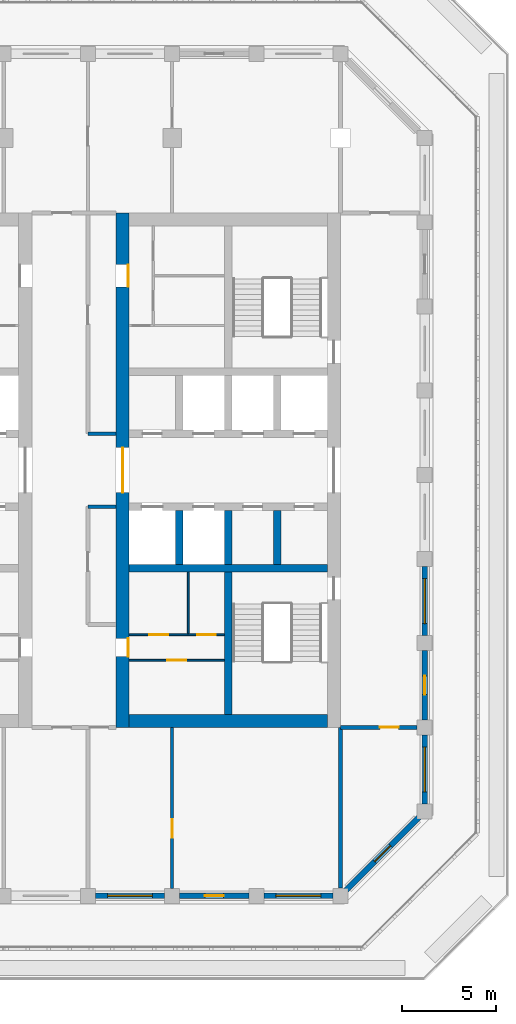
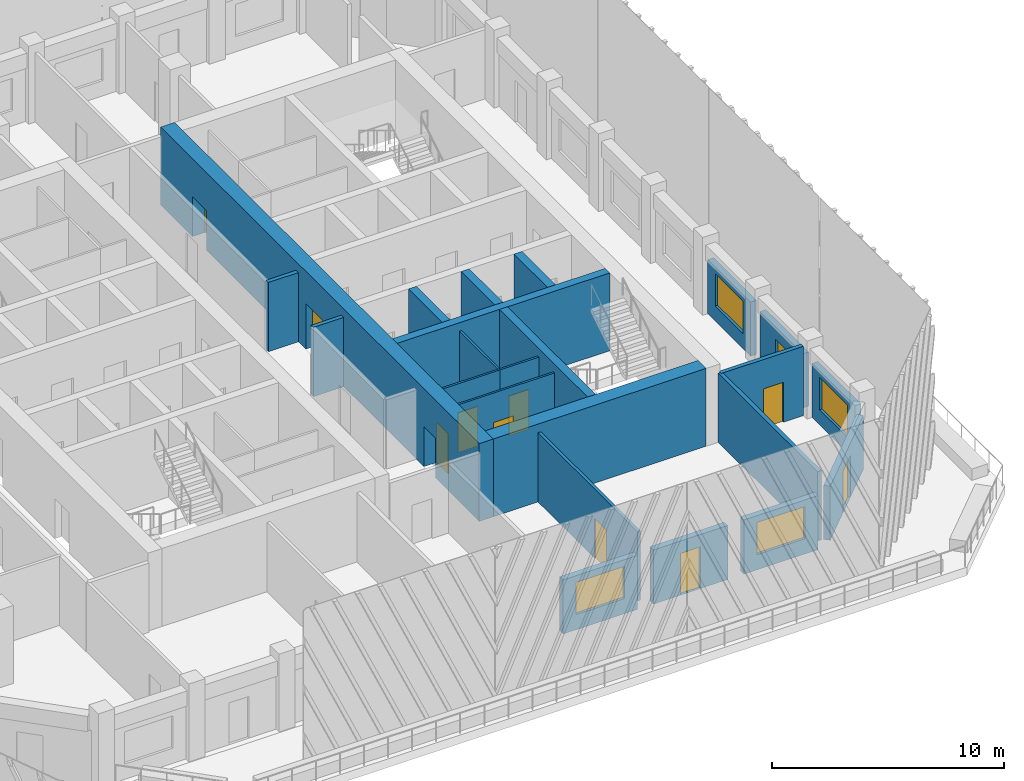
# One storey, part 4 of 14: 23 walls, 11 doors, 4 windows, 15 openings.
"""IFC4 building model written with IfcOpenShell, lengths in metres."""

import ifcopenshell
import ifcopenshell.guid

model = None  # the IFC model being written
_history = None  # IfcOwnerHistory: only IFC2X3 demands one
_inside = {}  # id of a spatial element -> (the spatial element, [elements in it])
_under = {}  # id of a project, library or spatial element -> (it, [spatial elements below it])
_declared = {}  # id of a project -> (the project, [libraries it declares])
_typed = {}  # id of a type object -> (the type object, [elements of that type])
_made_of = {}  # id of a material, layer set ... -> (it, [elements and type objects made of it])


def new_model(schema):
    """Start an empty IFC model of exactly this schema.

    Asked for "IFC4X3", IfcOpenShell would pick the latest addendum, in which some entities
    have other attributes; the version numbers below select the first issue.
    IFC2X3 requires an IfcOwnerHistory on every rooted entity: one is made here for all.
    """
    global model, _history
    if schema == "IFC4X3":
        model = ifcopenshell.file(schema_version=(4, 3, 0, 0))
    else:
        model = ifcopenshell.file(schema=schema)
    _inside.clear()
    _under.clear()
    _declared.clear()
    _typed.clear()
    _made_of.clear()
    _history = None
    if model.schema == "IFC2X3":
        org = make("IfcOrganization", Name="unknown")
        user = make(
            "IfcPersonAndOrganization",
            ThePerson=make("IfcPerson", FamilyName="unknown"),
            TheOrganization=org,
        )
        app = make(
            "IfcApplication",
            ApplicationDeveloper=org,
            Version="unknown",
            ApplicationFullName="unknown",
            ApplicationIdentifier="unknown",
        )
        _history = make(
            "IfcOwnerHistory",
            OwningUser=user,
            OwningApplication=app,
            ChangeAction="ADDED",
            CreationDate=0,
        )
    return model


def make(cls, **values):
    """One entity of the class cls with the attributes given. An attribute that is None is left unset."""
    return model.create_entity(
        cls, **{name: value for name, value in values.items() if value is not None}
    )


def rooted(cls, **values):
    """An entity with a GlobalId (a new one), such as an element, a storey or a relation."""
    return make(cls, GlobalId=ifcopenshell.guid.new(), OwnerHistory=_history, **values)


def si_unit(unit_type, name, prefix=None):
    """IfcSIUnit, for example si_unit("LENGTHUNIT", "METRE", prefix="MILLI")."""
    return make("IfcSIUnit", UnitType=unit_type, Prefix=prefix, Name=name)


def assignment(units):
    """IfcUnitAssignment: the units of a project."""
    return None if units is None else make("IfcUnitAssignment", Units=units)


def point(xyz):
    """IfcCartesianPoint."""
    return None if xyz is None else make("IfcCartesianPoint", Coordinates=xyz)


def direction(xyz):
    """IfcDirection."""
    return None if xyz is None else make("IfcDirection", DirectionRatios=xyz)


def frame(location, z_axis=None, x_axis=None):
    """IfcAxis2Placement3D, a coordinate frame: its origin and axes. An axis left out is left unset."""
    return make(
        "IfcAxis2Placement3D",
        Location=point(location),
        Axis=direction(z_axis),
        RefDirection=direction(x_axis),
    )


def frame_2d(location, x_axis=None):
    """IfcAxis2Placement2D, a coordinate frame in the plane: its origin and x axis."""
    return make(
        "IfcAxis2Placement2D", Location=point(location), RefDirection=direction(x_axis)
    )


def origin():
    """The frame at (0, 0, 0) with its axes left unset."""
    return frame((0.0, 0.0, 0.0))


def place(relative_to, where):
    """IfcLocalPlacement: puts the frame where relative to a parent placement (None: the world)."""
    return make(
        "IfcLocalPlacement", PlacementRelTo=relative_to, RelativePlacement=where
    )


def context(
    kind, dimensions, precision=None, world=None, true_north=None, identifier=None
):
    """IfcGeometricRepresentationContext, for example the 3D "Model" context."""
    return make(
        "IfcGeometricRepresentationContext",
        ContextIdentifier=identifier,
        ContextType=kind,
        CoordinateSpaceDimension=dimensions,
        Precision=precision,
        WorldCoordinateSystem=world,
        TrueNorth=true_north,
    )


def subcontext(parent, identifier, kind, view, scale=None):
    """IfcGeometricRepresentationSubContext, for example "Body" below "Model"."""
    return make(
        "IfcGeometricRepresentationSubContext",
        ContextIdentifier=identifier,
        ContextType=kind,
        ParentContext=parent,
        TargetScale=scale,
        TargetView=view,
    )


def project(units=None, contexts=None):
    """IfcProject with its units and contexts."""
    return rooted(
        "IfcProject",
        Name="project",
        RepresentationContexts=contexts,
        UnitsInContext=assignment(units),
    )


def spatial(cls, under=None, at=None, **own):
    """A site, building, storey or space (cls), placed at a placement, below another one or the project."""
    s = rooted(cls, ObjectPlacement=at, **own)
    if under is not None:
        _under.setdefault(under.id(), (under, []))[1].append(s)
    return s


def profile(cls, at=None, kind="AREA", **sizes):
    """A parametric profile (cls). Its sizes go by their IFC names, for example OverallWidth=200.0."""
    return make(cls, ProfileType=kind, Position=at, **sizes)


def rectangle(**sizes):
    """IfcRectangleProfileDef."""
    return profile("IfcRectangleProfileDef", **sizes)


def extrude(swept, where, along, depth):
    """IfcExtrudedAreaSolid: the profile swept, set in the frame where, extruded along a direction by depth."""
    return make(
        "IfcExtrudedAreaSolid",
        SweptArea=swept,
        Position=where,
        ExtrudedDirection=direction(along),
        Depth=depth,
    )


def shape(context_of_items, identifier, shape_type, items):
    """IfcShapeRepresentation: the items that make up one representation, for example the "Body"."""
    return make(
        "IfcShapeRepresentation",
        ContextOfItems=context_of_items,
        RepresentationIdentifier=identifier,
        RepresentationType=shape_type,
        Items=items,
    )


def material(Name=None, Category=None):
    """IfcMaterial."""
    return make("IfcMaterial", Name=Name, Category=Category)


def layer(
    of_material, thickness, ventilated=None, Name=None, Category=None, Priority=None
):
    """IfcMaterialLayer: one layer of a wall or slab, of a material (None: an air gap)."""
    return make(
        "IfcMaterialLayer",
        Material=of_material,
        LayerThickness=thickness,
        IsVentilated=ventilated,
        Name=Name,
        Category=Category,
        Priority=Priority,
    )


def layer_set(layers, Name=None):
    """IfcMaterialLayerSet."""
    return make("IfcMaterialLayerSet", MaterialLayers=layers, LayerSetName=Name)


def made_of(thing, what):
    """Note that an element or type object is made of a material, layer set ...; save() writes the relation."""
    if what is not None:
        _made_of.setdefault(what.id(), (what, []))[1].append(thing)
    return thing


def type_object(cls, material=None, **own):
    """A type object (cls), such as IfcWallType, which elements share."""
    return made_of(rooted(cls, **own), material)


def element(
    cls,
    number,
    at=None,
    inside=None,
    cuts=None,
    type_object=None,
    material=None,
    context=None,
    identifier="Body",
    shape_type=None,
    held_by="IfcProductDefinitionShape",
    body=None,
    shapes=None,
    **own,
):
    """One element of the class cls, such as IfcWall. Its Tag is "e" and its number.

    at: its placement. inside: the storey or other place that contains it. cuts: it is an
    opening in that element (IfcRelVoidsElement). A single representation is given by context,
    identifier, shape_type and body (its items); several are given by shapes. held_by: the class
    of the entity that holds the representations. save() writes the other relations.
    """
    e = rooted(cls, Tag="e%d" % number, ObjectPlacement=at, **own)
    if body is not None:
        shapes = [shape(context, identifier, shape_type, body)]
    if shapes is not None:
        e.Representation = make(held_by, Representations=shapes)
    if inside is not None:
        _inside.setdefault(inside.id(), (inside, []))[1].append(e)
    if cuts is not None:
        rooted(
            "IfcRelVoidsElement", RelatingBuildingElement=cuts, RelatedOpeningElement=e
        )
    if type_object is not None:
        _typed.setdefault(type_object.id(), (type_object, []))[1].append(e)
    return made_of(e, material)


def fill(opening, filler):
    """IfcRelFillsElement: the door or window that sits in an opening."""
    return rooted(
        "IfcRelFillsElement",
        RelatingOpeningElement=opening,
        RelatedBuildingElement=filler,
    )


def aggregate(whole, parts):
    """IfcRelAggregates: a whole, such as a stair, and the parts it consists of."""
    return rooted("IfcRelAggregates", RelatingObject=whole, RelatedObjects=parts)


def save(model, path):
    """Write the relations noted so far, then the file.

    IfcRelAggregates (storeys below a building ...), IfcRelContainedInSpatialStructure (elements
    in a storey), IfcRelDefinesByType, IfcRelAssociatesMaterial and IfcRelDeclares: one each for
    every whole, place, type object, material and project.
    """
    for whole, parts in _under.values():
        aggregate(whole, parts)
    for where, things in _inside.values():
        rooted(
            "IfcRelContainedInSpatialStructure",
            RelatedElements=things,
            RelatingStructure=where,
        )
    for kind, things in _typed.values():
        rooted("IfcRelDefinesByType", RelatedObjects=things, RelatingType=kind)
    for what, things in _made_of.values():
        rooted("IfcRelAssociatesMaterial", RelatedObjects=things, RelatingMaterial=what)
    for by, libraries in _declared.values():
        rooted("IfcRelDeclares", RelatingContext=by, RelatedDefinitions=libraries)
    model.write(path)


model = new_model("IFC4")

# Units and contexts
model_context = context("Model", 3, precision=1e-05, world=origin(), true_north=direction((0.0, 1.0)))
body_context = subcontext(model_context, "Body", "Model", "MODEL_VIEW")
ifc_project = project(units=[si_unit("LENGTHUNIT", "METRE"), si_unit("AREAUNIT", "SQUARE_METRE"), si_unit("VOLUMEUNIT", "CUBIC_METRE"), si_unit("PLANEANGLEUNIT", "RADIAN"), si_unit("MASSUNIT", "GRAM", prefix="KILO")], contexts=[model_context])

# Site, building, storey
site_placement = place(None, origin())
site = spatial("IfcSite", under=ifc_project, at=site_placement, CompositionType="ELEMENT")
building_placement = place(site_placement, origin())
building = spatial("IfcBuilding", under=site, at=building_placement, Name="Corbel Stack Research Tower", CompositionType="ELEMENT")
storey_placement = place(building_placement, frame((0.0, 0.0, 266.300048828125)))
storey = spatial("IfcBuildingStorey", under=building, at=storey_placement, Name="L60", CompositionType="ELEMENT", Elevation=266.300048828125)

# Walls
ifc_material_1 = material(Name="Concrete C60/75", Category="concrete")
ifc_layer_1 = layer(ifc_material_1, 0.39990234375)
ifc_layer_set_1 = layer_set([ifc_layer_1], Name="Concrete C60/75")
wall_type_1 = type_object("IfcWallType", Name="CW-400-60", PredefinedType="SHEAR", material=ifc_layer_set_1)
wall_1_placement = place(storey_placement, frame((6.699951171875, -0.5, 0.0), z_axis=(0.0, 0.0, 1.0), x_axis=(1.0, 0.0, 0.0)))
element("IfcWall", 1, at=wall_1_placement, inside=storey, type_object=wall_type_1, Name="East core wall, south row back L60", PredefinedType="SHEAR", context=body_context, shape_type="SweptSolid", body=[
    extrude(rectangle(XDim=10.60009765625, YDim=0.39990234375, at=frame_2d((5.300048828125, 0.0))), origin(), (0.0, 0.0, 1.0), 4.099853515625),
])
for number, where, z_axis, x_axis, name in (
    (2, (9.375, -0.300048828125, 0.0), (0.0, 0.0, 1.0), (0.0, 1.0, 0.0), "East core wall, south shaft 1 L60"),
    (3, (12.0, -0.300048828125, 0.0), (0.0, 0.0, 1.0), (0.0, 1.0, 0.0), "East core wall, south shaft 2 L60"),
    (4, (14.625, -0.300048828125, 0.0), (0.0, 0.0, 1.0), (0.0, 1.0, 0.0), "East core wall, south shaft 3 L60"),
):
    element("IfcWall", number, at=place(storey_placement, frame(where, z_axis=z_axis, x_axis=x_axis)), inside=storey, type_object=wall_type_1, Name=name, PredefinedType="SHEAR", context=body_context, shape_type="SweptSolid", body=[
        extrude(rectangle(XDim=2.900146484375, YDim=0.39990234375, at=frame_2d((1.4501953125, 0.0))), origin(), (0.0, 0.0, 1.0), 4.099853515625),
    ])
wall_2_placement = place(storey_placement, frame((12.0, -8.300048828125, 0.0), z_axis=(0.0, 0.0, 1.0), x_axis=(0.0, 1.0, 0.0)))
element("IfcWall", 5, at=wall_2_placement, inside=storey, type_object=wall_type_1, Name="East core wall, south stair and WC L60", PredefinedType="SHEAR", context=body_context, shape_type="SweptSolid", body=[
    extrude(rectangle(XDim=7.60009765625, YDim=0.39990234375, at=frame_2d((3.800048828125, 0.0))), origin(), (0.0, 0.0, 1.0), 4.099853515625),
])

# Wall, openings, doors
ifc_material_2 = material(Name="Concrete C60/75", Category="concrete")
ifc_layer_2 = layer(ifc_material_2, 0.699951171875)
ifc_layer_set_2 = layer_set([ifc_layer_2], Name="Concrete C60/75")
wall_type_2 = type_object("IfcWallType", Name="CW-700-60", PredefinedType="SHEAR", material=ifc_layer_set_2)
wall_3_placement = place(storey_placement, frame((6.35009765625, -9.0, 0.0), z_axis=(0.0, 0.0, 1.0), x_axis=(0.0, 1.0, 0.0)))
wall_3 = element("IfcWall", 6, at=wall_3_placement, inside=storey, type_object=wall_type_2, Name="East core wall, west face L60", PredefinedType="SHEAR", context=body_context, shape_type="SweptSolid", body=[
    extrude(rectangle(XDim=27.5, YDim=0.699951171875, at=frame_2d((13.75, 0.0))), origin(), (0.0, 0.0, 1.0), 4.099853515625),
])
opening_1_placement = place(wall_3_placement, frame((12.550048828125, 0.0, 0.0)))
opening_1 = element("IfcOpeningElement", 7, at=opening_1_placement, cuts=wall_3, Name="Opening CD-E-W", PredefinedType="OPENING", context=body_context, shape_type="SweptSolid", body=[
    extrude(rectangle(XDim=2.39990234375, YDim=2.39990234375, at=frame_2d((1.199951171875, 1.199951171875))), frame((0.0, 0.35986328125, 0.0), z_axis=(0.0, -1.0, 0.0), x_axis=(1.0, 0.0, 0.0)), (0.0, 0.0, 1.0), 0.719970703125),
])
opening_2_placement = place(wall_3_placement, frame((3.7880859375, 0.0, 0.0)))
opening_2 = element("IfcOpeningElement", 8, at=opening_2_placement, cuts=wall_3, Name="Opening CR-E24-W1-968", PredefinedType="OPENING", context=body_context, shape_type="SweptSolid", body=[
    extrude(rectangle(XDim=0.968017578125, YDim=2.10009765625, at=frame_2d((0.48388671875, 1.050048828125))), frame((0.0, 0.35986328125, 0.0), z_axis=(0.0, -1.0, 0.0), x_axis=(1.0, 0.0, 0.0)), (0.0, 0.0, 1.0), 0.719970703125),
])
opening_3_placement = place(wall_3_placement, frame((23.5400390625, 0.0, 0.0)))
opening_3 = element("IfcOpeningElement", 9, at=opening_3_placement, cuts=wall_3, Name="Opening CR-E24-R2-1200", PredefinedType="OPENING", context=body_context, shape_type="SweptSolid", body=[
    extrude(rectangle(XDim=1.199951171875, YDim=2.10009765625, at=frame_2d((0.60009765625, 1.050048828125))), frame((0.0, 0.35986328125, 0.0), z_axis=(0.0, -1.0, 0.0), x_axis=(1.0, 0.0, 0.0)), (0.0, 0.0, 1.0), 0.719970703125),
])
ifc_material_3 = material(Name="Painted steel fire door", Category="steel")
door_type_1 = type_object("IfcDoorType", Name="Lobby door pair 2400 x 2400 FD30S", OperationType="DOUBLE_DOOR_DOUBLE_SWING", PredefinedType="DOOR", material=ifc_material_3)
door_1_placement = place(opening_1_placement, origin())
door_1 = element("IfcDoor", 10, at=door_1_placement, inside=storey, type_object=door_type_1, Name="Lift lobby door E core W", OperationType="DOUBLE_DOOR_DOUBLE_SWING", OverallHeight=2.39990234375, OverallWidth=2.39990234375, PredefinedType="DOOR", context=body_context, shape_type="SweptSolid", body=[
    extrude(rectangle(XDim=2.39990234375, YDim=2.39990234375, at=frame_2d((1.199951171875, 1.199951171875))), frame((0.0, 0.02490234375, 0.0), z_axis=(0.0, -1.0, 0.0), x_axis=(1.0, 0.0, 0.0)), (0.0, 0.0, 1.0), 0.050048828125),
])
fill(opening_1, door_1)
ifc_material_4 = material(Name="Painted steel door", Category="steel")
door_type_2 = type_object("IfcDoorType", Name="Service door 1200 x 2100 FD30 left hand", OperationType="SINGLE_SWING_LEFT", PredefinedType="DOOR", material=ifc_material_4)
door_2_placement = place(opening_3_placement, origin())
door_2 = element("IfcDoor", 11, at=door_2_placement, inside=storey, type_object=door_type_2, Name="Service passage door E core", OperationType="SINGLE_SWING_LEFT", OverallHeight=2.10009765625, OverallWidth=1.199951171875, PredefinedType="DOOR", context=body_context, shape_type="SweptSolid", body=[
    extrude(rectangle(XDim=1.199951171875, YDim=2.10009765625, at=frame_2d((0.60009765625, 1.050048828125))), frame((0.0, -0.27490234375, 0.0), z_axis=(0.0, -1.0, 0.0), x_axis=(1.0, 0.0, 0.0)), (0.0, 0.0, 1.0), 0.050048828125),
])
fill(opening_3, door_2)
ifc_material_5 = material(Name="Painted timber door", Category="wood")
door_type_3 = type_object("IfcDoorType", Name="WC door 968 x 2100 right hand", OperationType="SINGLE_SWING_RIGHT", PredefinedType="DOOR", material=ifc_material_5)
door_3_placement = place(opening_2_placement, origin())
door_3 = element("IfcDoor", 12, at=door_3_placement, inside=storey, type_object=door_type_3, Name="WC lobby door E core", OperationType="SINGLE_SWING_RIGHT", OverallHeight=2.10009765625, OverallWidth=0.968017578125, PredefinedType="DOOR", context=body_context, shape_type="SweptSolid", body=[
    extrude(rectangle(XDim=0.968017578125, YDim=2.10009765625, at=frame_2d((0.48388671875, 1.050048828125))), frame((0.0, -0.27490234375, 0.0), z_axis=(0.0, -1.0, 0.0), x_axis=(1.0, 0.0, 0.0)), (0.0, 0.0, 1.0), 0.050048828125),
])
fill(opening_2, door_3)

# Wall
wall_4_placement = place(storey_placement, frame((6.699951171875, -8.64990234375, 0.0), z_axis=(0.0, 0.0, 1.0), x_axis=(1.0, 0.0, 0.0)))
element("IfcWall", 13, at=wall_4_placement, inside=storey, type_object=wall_type_2, Name="East core wall, south end L60", PredefinedType="SHEAR", context=body_context, shape_type="SweptSolid", body=[
    extrude(rectangle(XDim=10.60009765625, YDim=0.699951171875, at=frame_2d((5.300048828125, 0.0))), origin(), (0.0, 0.0, 1.0), 4.099853515625),
])

# Wall, opening, door
ifc_material_6 = material(Name="Gypsum board")
ifc_layer_3 = layer(ifc_material_6, 0.10009765625)
ifc_layer_set_3 = layer_set([ifc_layer_3], Name="Gypsum board")
wall_type_3 = type_object("IfcWallType", Name="Core partition 100", PredefinedType="PARTITIONING", material=ifc_layer_set_3)
wall_5_placement = place(storey_placement, frame((6.699951171875, -5.412109375, 0.0), z_axis=(0.0, 0.0, 1.0), x_axis=(1.0, 0.0, 0.0)))
wall_5 = element("IfcWall", 14, at=wall_5_placement, inside=storey, type_object=wall_type_3, Name="Core partition E", PredefinedType="PARTITIONING", context=body_context, shape_type="SweptSolid", body=[
    extrude(rectangle(XDim=5.10009765625, YDim=0.10009765625, at=frame_2d((2.550048828125, 0.0))), origin(), (0.0, 0.0, 1.0), 3.64990234375),
])
opening_4_placement = place(wall_5_placement, frame((2.050048828125, 0.0, 0.0)))
opening_4 = element("IfcOpeningElement", 15, at=opening_4_placement, cuts=wall_5, Name="Opening CR-E24-W2-1000", PredefinedType="OPENING", context=body_context, shape_type="SweptSolid", body=[
    extrude(rectangle(XDim=1.0, YDim=2.10009765625, at=frame_2d((0.5, 1.050048828125))), frame((0.0, 0.06005859375, 0.0), z_axis=(0.0, -1.0, 0.0), x_axis=(1.0, 0.0, 0.0)), (0.0, 0.0, 1.0), 0.1201171875),
])
ifc_material_7 = material(Name="Painted timber door", Category="wood")
door_type_4 = type_object("IfcDoorType", Name="WC door 1000 x 2100 left hand", OperationType="SINGLE_SWING_LEFT", PredefinedType="DOOR", material=ifc_material_7)
door_4_placement = place(opening_4_placement, origin())
door_4 = element("IfcDoor", 16, at=door_4_placement, inside=storey, type_object=door_type_4, Name="Men's WC door E core", OperationType="SINGLE_SWING_LEFT", OverallHeight=2.10009765625, OverallWidth=1.0, PredefinedType="DOOR", context=body_context, shape_type="SweptSolid", body=[
    extrude(rectangle(XDim=1.0, YDim=2.10009765625, at=frame_2d((0.5, 1.050048828125))), frame((0.0, 0.02490234375, 0.0), z_axis=(0.0, -1.0, 0.0), x_axis=(1.0, 0.0, 0.0)), (0.0, 0.0, 1.0), 0.050048828125),
])
fill(opening_4, door_4)

wall_6_placement = place(storey_placement, frame((6.699951171875, -4.0439453125, 0.0), z_axis=(0.0, 0.0, 1.0), x_axis=(1.0, 0.0, 0.0)))
wall_6 = element("IfcWall", 17, at=wall_6_placement, inside=storey, type_object=wall_type_3, Name="Core partition E", PredefinedType="PARTITIONING", context=body_context, shape_type="SweptSolid", body=[
    extrude(rectangle(XDim=3.162109375, YDim=0.10009765625, at=frame_2d((1.5810546875, 0.0))), origin(), (0.0, 0.0, 1.0), 3.64990234375),
])
opening_5_placement = place(wall_6_placement, frame((1.0810546875, 0.0, 0.0)))
opening_5 = element("IfcOpeningElement", 18, at=opening_5_placement, cuts=wall_6, Name="Opening CR-E24-W3-1000", PredefinedType="OPENING", context=body_context, shape_type="SweptSolid", body=[
    extrude(rectangle(XDim=1.0, YDim=2.10009765625, at=frame_2d((0.5, 1.050048828125))), frame((0.0, 0.06005859375, 0.0), z_axis=(0.0, -1.0, 0.0), x_axis=(1.0, 0.0, 0.0)), (0.0, 0.0, 1.0), 0.1201171875),
])
ifc_material_8 = material(Name="Painted timber door", Category="wood")
door_type_5 = type_object("IfcDoorType", Name="WC door 1000 x 2100 right hand", OperationType="SINGLE_SWING_RIGHT", PredefinedType="DOOR", material=ifc_material_8)
door_5_placement = place(opening_5_placement, origin())
door_5 = element("IfcDoor", 19, at=door_5_placement, inside=storey, type_object=door_type_5, Name="Women's WC door E core", OperationType="SINGLE_SWING_RIGHT", OverallHeight=2.10009765625, OverallWidth=1.0, PredefinedType="DOOR", context=body_context, shape_type="SweptSolid", body=[
    extrude(rectangle(XDim=1.0, YDim=2.10009765625, at=frame_2d((0.5, 1.050048828125))), frame((0.0, 0.02490234375, 0.0), z_axis=(0.0, -1.0, 0.0), x_axis=(1.0, 0.0, 0.0)), (0.0, 0.0, 1.0), 0.050048828125),
])
fill(opening_5, door_5)

wall_7_placement = place(storey_placement, frame((9.862060546875, -4.0439453125, 0.0), z_axis=(0.0, 0.0, 1.0), x_axis=(1.0, 0.0, 0.0)))
wall_7 = element("IfcWall", 20, at=wall_7_placement, inside=storey, type_object=wall_type_3, Name="Core partition E", PredefinedType="PARTITIONING", context=body_context, shape_type="SweptSolid", body=[
    extrude(rectangle(XDim=1.93798828125, YDim=0.10009765625, at=frame_2d((0.968994140625, 0.0))), origin(), (0.0, 0.0, 1.0), 3.64990234375),
])
opening_6_placement = place(wall_7_placement, frame((0.468994140625, 0.0, 0.0)))
opening_6 = element("IfcOpeningElement", 21, at=opening_6_placement, cuts=wall_7, Name="Opening CR-E24-W4-1000", PredefinedType="OPENING", context=body_context, shape_type="SweptSolid", body=[
    extrude(rectangle(XDim=1.0, YDim=2.10009765625, at=frame_2d((0.5, 1.050048828125))), frame((0.0, 0.06005859375, 0.0), z_axis=(0.0, -1.0, 0.0), x_axis=(1.0, 0.0, 0.0)), (0.0, 0.0, 1.0), 0.1201171875),
])
door_6_placement = place(opening_6_placement, origin())
door_6 = element("IfcDoor", 22, at=door_6_placement, inside=storey, type_object=door_type_4, Name="Accessible WC door E core", OperationType="SINGLE_SWING_LEFT", OverallHeight=2.10009765625, OverallWidth=1.0, PredefinedType="DOOR", context=body_context, shape_type="SweptSolid", body=[
    extrude(rectangle(XDim=1.0, YDim=2.10009765625, at=frame_2d((0.5, 1.050048828125))), frame((0.0, 0.02490234375, 0.0), z_axis=(0.0, -1.0, 0.0), x_axis=(1.0, 0.0, 0.0)), (0.0, 0.0, 1.0), 0.050048828125),
])
fill(opening_6, door_6)

# Wall
wall_8_placement = place(storey_placement, frame((9.862060546875, -4.0439453125, 0.0), z_axis=(0.0, 0.0, 1.0), x_axis=(0.0, 1.0, 0.0)))
element("IfcWall", 23, at=wall_8_placement, inside=storey, type_object=wall_type_3, Name="Core partition E", PredefinedType="PARTITIONING", context=body_context, shape_type="SweptSolid", body=[
    extrude(rectangle(XDim=3.343994140625, YDim=0.10009765625, at=frame_2d((1.671875, 0.0))), origin(), (0.0, 0.0, 1.0), 3.64990234375),
])

# Wall, opening, door
ifc_material_9 = material(Name="Fire-rated gypsum board partition on steel studs", Category="steel")
ifc_layer_4 = layer(ifc_material_9, 0.14990234375)
ifc_layer_set_4 = layer_set([ifc_layer_4], Name="Fire-rated gypsum board partition on steel studs")
wall_type_4 = type_object("IfcWallType", Name="Fire-rated partition 150 EI 60", PredefinedType="PARTITIONING", material=ifc_layer_set_4)
wall_9_placement = place(storey_placement, frame((9.0, -9.0, 0.0), z_axis=(0.0, 0.0, 1.0), x_axis=(0.0, -1.0, 0.0)))
wall_9 = element("IfcWall", 24, at=wall_9_placement, inside=storey, type_object=wall_type_4, Name="Partition L60-014", PredefinedType="PARTITIONING", context=body_context, shape_type="SweptSolid", body=[
    extrude(rectangle(XDim=8.60009765625, YDim=0.14990234375, at=frame_2d((4.300048828125, 0.0))), origin(), (0.0, 0.0, 1.0), 3.64990234375),
])
opening_7_placement = place(wall_9_placement, frame((4.89990234375, 0.0, 0.0)))
opening_7 = element("IfcOpeningElement", 25, at=opening_7_placement, cuts=wall_9, Name="Opening B8V0H-014", PredefinedType="OPENING", context=body_context, shape_type="SweptSolid", body=[
    extrude(rectangle(XDim=1.0, YDim=2.10009765625, at=frame_2d((0.5, 1.050048828125))), frame((0.0, 0.0849609375, 0.0), z_axis=(0.0, -1.0, 0.0), x_axis=(1.0, 0.0, 0.0)), (0.0, 0.0, 1.0), 0.169921875),
])
ifc_material_10 = material(Name="Painted steel fire door", Category="steel")
door_type_6 = type_object("IfcDoorType", Name="Fire door FD30S 1000 x 2100", OperationType="NOTDEFINED", PredefinedType="DOOR", material=ifc_material_10)
door_7_placement = place(opening_7_placement, origin())
door_7 = element("IfcDoor", 26, at=door_7_placement, inside=storey, type_object=door_type_6, Name="Door B8V0H-014", OperationType="SINGLE_SWING_RIGHT", OverallHeight=2.10009765625, OverallWidth=1.0, PredefinedType="DOOR", context=body_context, shape_type="SweptSolid", body=[
    extrude(rectangle(XDim=1.0, YDim=2.10009765625, at=frame_2d((0.5, 1.050048828125))), frame((0.0, 0.02490234375, 0.0), z_axis=(0.0, -1.0, 0.0), x_axis=(1.0, 0.0, 0.0)), (0.0, 0.0, 1.0), 0.050048828125),
])
fill(opening_7, door_7)

# Wall
ifc_material_11 = material(Name="Fire-rated gypsum board partition on steel studs", Category="steel")
ifc_layer_5 = layer(ifc_material_11, 0.199951171875)
ifc_layer_set_5 = layer_set([ifc_layer_5], Name="Fire-rated gypsum board partition on steel studs")
wall_type_5 = type_object("IfcWallType", Name="Fire-rated partition 200 EI 60", PredefinedType="PARTITIONING", material=ifc_layer_set_5)
wall_10_placement = place(storey_placement, frame((18.0, -17.5771484375, 0.0), z_axis=(0.0, 0.0, 1.0), x_axis=(0.0, 1.0, 0.0)))
element("IfcWall", 27, at=wall_10_placement, inside=storey, type_object=wall_type_5, Name="Partition L60-017", PredefinedType="PARTITIONING", context=body_context, shape_type="SweptSolid", body=[
    extrude(rectangle(XDim=8.5771484375, YDim=0.199951171875, at=frame_2d((4.28857421875, 0.0))), origin(), (0.0, 0.0, 1.0), 3.64990234375),
])

# Wall, opening, door
wall_11_placement = place(storey_placement, frame((22.10009765625, -9.0, 0.0), z_axis=(0.0, 0.0, 1.0), x_axis=(-1.0, 0.0, 0.0)))
wall_11 = element("IfcWall", 28, at=wall_11_placement, inside=storey, type_object=wall_type_5, Name="Partition L60-022", PredefinedType="PARTITIONING", context=body_context, shape_type="SweptSolid", body=[
    extrude(rectangle(XDim=4.10009765625, YDim=0.199951171875, at=frame_2d((2.050048828125, 0.0))), origin(), (0.0, 0.0, 1.0), 3.64990234375),
])
opening_8_placement = place(wall_11_placement, frame((1.0, 0.0, 0.0)))
opening_8 = element("IfcOpeningElement", 29, at=opening_8_placement, cuts=wall_11, Name="Opening B8V0H-007", PredefinedType="OPENING", context=body_context, shape_type="SweptSolid", body=[
    extrude(rectangle(XDim=1.0, YDim=2.10009765625, at=frame_2d((0.5, 1.050048828125))), frame((0.0, 0.10986328125, 0.0), z_axis=(0.0, -1.0, 0.0), x_axis=(1.0, 0.0, 0.0)), (0.0, 0.0, 1.0), 0.219970703125),
])
door_8_placement = place(opening_8_placement, origin())
door_8 = element("IfcDoor", 30, at=door_8_placement, inside=storey, type_object=door_type_6, Name="Door B8V0H-007", OperationType="SINGLE_SWING_LEFT", OverallHeight=2.10009765625, OverallWidth=1.0, PredefinedType="DOOR", context=body_context, shape_type="SweptSolid", body=[
    extrude(rectangle(XDim=1.0, YDim=2.10009765625, at=frame_2d((0.5, 1.050048828125))), frame((0.0, 0.02490234375, 0.0), z_axis=(0.0, -1.0, 0.0), x_axis=(1.0, 0.0, 0.0)), (0.0, 0.0, 1.0), 0.050048828125),
])
fill(opening_8, door_8)

# Walls
for number, where, z_axis, x_axis, name in (
    (31, (4.5, 2.800048828125, 0.0), (0.0, 0.0, 1.0), (1.0, 0.0, 0.0), "Partition L60-025"),
    (32, (4.5, 6.699951171875, 0.0), (0.0, 0.0, 1.0), (1.0, 0.0, 0.0), "Partition L60-028"),
):
    element("IfcWall", number, at=place(storey_placement, frame(where, z_axis=z_axis, x_axis=x_axis)), inside=storey, type_object=wall_type_5, Name=name, PredefinedType="PARTITIONING", context=body_context, shape_type="SweptSolid", body=[
        extrude(rectangle(XDim=1.5, YDim=0.199951171875, at=frame_2d((0.75, 0.0))), origin(), (0.0, 0.0, 1.0), 3.64990234375),
    ])

# Wall, opening, window
ifc_material_12 = material(Name="Concrete C45/55", Category="concrete")
ifc_layer_6 = layer(ifc_material_12, 0.300048828125)
ifc_layer_set_6 = layer_set([ifc_layer_6], Name="Concrete C45/55")
wall_type_6 = type_object("IfcWallType", Name="Terracotta-faced concrete wall 300", PredefinedType="SOLIDWALL", material=ifc_layer_set_6)
wall_12_placement = place(storey_placement, frame((8.60009765625, -18.0, 0.0), z_axis=(0.0, 0.0, 1.0), x_axis=(-1.0, 0.0, 0.0)))
wall_12 = element("IfcWall", 33, at=wall_12_placement, inside=storey, type_object=wall_type_6, Name="Facade wall L60 S06", PredefinedType="SOLIDWALL", context=body_context, shape_type="SweptSolid", body=[
    extrude(rectangle(XDim=3.7001953125, YDim=0.300048828125, at=frame_2d((1.85009765625, 0.0))), origin(), (0.0, 0.0, 1.0), 2.849853515625),
])
opening_9_placement = place(wall_12_placement, frame((0.64990234375, 0.0, 0.800048828125)))
opening_9 = element("IfcOpeningElement", 34, at=opening_9_placement, cuts=wall_12, Name="Opening W1", PredefinedType="OPENING", context=body_context, shape_type="SweptSolid", body=[
    extrude(rectangle(XDim=2.39990234375, YDim=1.699951171875, at=frame_2d((1.199951171875, 0.85009765625))), frame((0.0, 0.159912109375, 0.0), z_axis=(0.0, -1.0, 0.0), x_axis=(1.0, 0.0, 0.0)), (0.0, 0.0, 1.0), 0.320068359375),
])
ifc_material_13 = material(Name="Aluminium frame, clear double glazing", Category="aluminium")
window_type = type_object("IfcWindowType", Name="Window W1 2400 x 1700", PartitioningType="SINGLE_PANEL", PredefinedType="WINDOW", material=ifc_material_13)
window_1_placement = place(opening_9_placement, origin())
window_1 = element("IfcWindow", 35, at=window_1_placement, inside=storey, type_object=window_type, Name="Window W1 L60 S06", OverallHeight=1.699951171875, OverallWidth=2.39990234375, PartitioningType="SINGLE_PANEL", PredefinedType="WINDOW", context=body_context, shape_type="SweptSolid", body=[
    extrude(rectangle(XDim=2.39990234375, YDim=1.699951171875, at=frame_2d((1.199951171875, 0.85009765625))), frame((0.0, 0.030029296875, 0.0), z_axis=(0.0, -1.0, 0.0), x_axis=(1.0, 0.0, 0.0)), (0.0, 0.0, 1.0), 0.06005859375),
])
fill(opening_9, window_1)

# Wall, opening, door
wall_13_placement = place(storey_placement, frame((13.10009765625, -18.0, 0.0), z_axis=(0.0, 0.0, 1.0), x_axis=(-1.0, 0.0, 0.0)))
wall_13 = element("IfcWall", 36, at=wall_13_placement, inside=storey, type_object=wall_type_6, Name="Facade wall L60 S07", PredefinedType="SOLIDWALL", context=body_context, shape_type="SweptSolid", body=[
    extrude(rectangle(XDim=3.7001953125, YDim=0.300048828125, at=frame_2d((1.85009765625, 0.0))), origin(), (0.0, 0.0, 1.0), 2.849853515625),
])
opening_10_placement = place(wall_13_placement, frame((1.35009765625, 0.0, 0.0)))
opening_10 = element("IfcOpeningElement", 37, at=opening_10_placement, cuts=wall_13, Name="Opening L60-B02", PredefinedType="OPENING", context=body_context, shape_type="SweptSolid", body=[
    extrude(rectangle(XDim=1.0, YDim=2.199951171875, at=frame_2d((0.5, 1.10009765625))), frame((0.0, 0.159912109375, 0.0), z_axis=(0.0, -1.0, 0.0), x_axis=(1.0, 0.0, 0.0)), (0.0, 0.0, 1.0), 0.320068359375),
])
ifc_material_14 = material(Name="Aluminium frame, clear double glazing", Category="aluminium")
door_type_7 = type_object("IfcDoorType", Name="Balcony door BD1 1000 x 2200", OperationType="NOTDEFINED", PredefinedType="DOOR", material=ifc_material_14)
door_9_placement = place(opening_10_placement, origin())
door_9 = element("IfcDoor", 38, at=door_9_placement, inside=storey, type_object=door_type_7, Name="Balcony door L60-B02", OperationType="SINGLE_SWING_LEFT", OverallHeight=2.199951171875, OverallWidth=1.0, PredefinedType="DOOR", context=body_context, shape_type="SweptSolid", body=[
    extrude(rectangle(XDim=1.0, YDim=2.199951171875, at=frame_2d((0.5, 1.10009765625))), frame((0.0, 0.02490234375, 0.0), z_axis=(0.0, -1.0, 0.0), x_axis=(1.0, 0.0, 0.0)), (0.0, 0.0, 1.0), 0.050048828125),
])
fill(opening_10, door_9)

# Wall, opening, window
wall_14_placement = place(storey_placement, frame((17.60009765625, -18.0, 0.0), z_axis=(0.0, 0.0, 1.0), x_axis=(-1.0, 0.0, 0.0)))
wall_14 = element("IfcWall", 39, at=wall_14_placement, inside=storey, type_object=wall_type_6, Name="Facade wall L60 S08", PredefinedType="SOLIDWALL", context=body_context, shape_type="SweptSolid", body=[
    extrude(rectangle(XDim=3.7001953125, YDim=0.300048828125, at=frame_2d((1.85009765625, 0.0))), origin(), (0.0, 0.0, 1.0), 2.849853515625),
])
opening_11_placement = place(wall_14_placement, frame((0.64990234375, 0.0, 0.800048828125)))
opening_11 = element("IfcOpeningElement", 40, at=opening_11_placement, cuts=wall_14, Name="Opening W1", PredefinedType="OPENING", context=body_context, shape_type="SweptSolid", body=[
    extrude(rectangle(XDim=2.39990234375, YDim=1.699951171875, at=frame_2d((1.199951171875, 0.85009765625))), frame((0.0, 0.159912109375, 0.0), z_axis=(0.0, -1.0, 0.0), x_axis=(1.0, 0.0, 0.0)), (0.0, 0.0, 1.0), 0.320068359375),
])
window_2_placement = place(opening_11_placement, origin())
window_2 = element("IfcWindow", 41, at=window_2_placement, inside=storey, type_object=window_type, Name="Window W1 L60 S08", OverallHeight=1.699951171875, OverallWidth=2.39990234375, PartitioningType="SINGLE_PANEL", PredefinedType="WINDOW", context=body_context, shape_type="SweptSolid", body=[
    extrude(rectangle(XDim=2.39990234375, YDim=1.699951171875, at=frame_2d((1.199951171875, 0.85009765625))), frame((0.0, 0.030029296875, 0.0), z_axis=(0.0, -1.0, 0.0), x_axis=(1.0, 0.0, 0.0)), (0.0, 0.0, 1.0), 0.06005859375),
])
fill(opening_11, window_2)

# Wall, opening, door
wall_15_placement = place(storey_placement, frame((22.2060546875, -13.7939453125, 0.0), z_axis=(0.0, 0.0, 1.0), x_axis=(-0.707106781187, -0.707106781187, 0.0)))
wall_15 = element("IfcWall", 42, at=wall_15_placement, inside=storey, type_object=wall_type_6, Name="Facade wall L60 SE01", PredefinedType="SOLIDWALL", context=body_context, shape_type="SweptSolid", body=[
    extrude(rectangle(XDim=5.532470703125, YDim=0.300048828125, at=frame_2d((2.76611328125, 0.0))), origin(), (0.0, 0.0, 1.0), 2.849853515625),
])
opening_12_placement = place(wall_15_placement, frame((2.166259765625, 0.0, 0.0)))
opening_12 = element("IfcOpeningElement", 43, at=opening_12_placement, cuts=wall_15, Name="Opening L60-B03", PredefinedType="OPENING", context=body_context, shape_type="SweptSolid", body=[
    extrude(rectangle(XDim=1.199951171875, YDim=2.199951171875, at=frame_2d((0.60009765625, 1.10009765625))), frame((0.0, 0.159912109375, 0.0), z_axis=(0.0, -1.0, 0.0), x_axis=(1.0, 0.0, 0.0)), (0.0, 0.0, 1.0), 0.320068359375),
])
ifc_material_15 = material(Name="Aluminium frame, clear double glazing", Category="aluminium")
door_type_8 = type_object("IfcDoorType", Name="Balcony door BD2 1200 x 2200", OperationType="NOTDEFINED", PredefinedType="DOOR", material=ifc_material_15)
door_10_placement = place(opening_12_placement, origin())
door_10 = element("IfcDoor", 44, at=door_10_placement, inside=storey, type_object=door_type_8, Name="Balcony door L60-B03", OperationType="SINGLE_SWING_LEFT", OverallHeight=2.199951171875, OverallWidth=1.199951171875, PredefinedType="DOOR", context=body_context, shape_type="SweptSolid", body=[
    extrude(rectangle(XDim=1.199951171875, YDim=2.199951171875, at=frame_2d((0.60009765625, 1.10009765625))), frame((0.0, 0.02490234375, 0.0), z_axis=(0.0, -1.0, 0.0), x_axis=(1.0, 0.0, 0.0)), (0.0, 0.0, 1.0), 0.050048828125),
])
fill(opening_12, door_10)

# Wall, opening, window
wall_16_placement = place(storey_placement, frame((22.5, -9.39990234375, 0.0), z_axis=(0.0, 0.0, 1.0), x_axis=(0.0, -1.0, 0.0)))
wall_16 = element("IfcWall", 45, at=wall_16_placement, inside=storey, type_object=wall_type_6, Name="Facade wall L60 E01", PredefinedType="SOLIDWALL", context=body_context, shape_type="SweptSolid", body=[
    extrude(rectangle(XDim=3.7001953125, YDim=0.300048828125, at=frame_2d((1.85009765625, 0.0))), origin(), (0.0, 0.0, 1.0), 2.849853515625),
])
opening_13_placement = place(wall_16_placement, frame((0.64990234375, 0.0, 0.800048828125)))
opening_13 = element("IfcOpeningElement", 46, at=opening_13_placement, cuts=wall_16, Name="Opening W1", PredefinedType="OPENING", context=body_context, shape_type="SweptSolid", body=[
    extrude(rectangle(XDim=2.39990234375, YDim=1.699951171875, at=frame_2d((1.199951171875, 0.85009765625))), frame((0.0, 0.159912109375, 0.0), z_axis=(0.0, -1.0, 0.0), x_axis=(1.0, 0.0, 0.0)), (0.0, 0.0, 1.0), 0.320068359375),
])
window_3_placement = place(opening_13_placement, origin())
window_3 = element("IfcWindow", 47, at=window_3_placement, inside=storey, type_object=window_type, Name="Window W1 L60 E01", OverallHeight=1.699951171875, OverallWidth=2.39990234375, PartitioningType="SINGLE_PANEL", PredefinedType="WINDOW", context=body_context, shape_type="SweptSolid", body=[
    extrude(rectangle(XDim=2.39990234375, YDim=1.699951171875, at=frame_2d((1.199951171875, 0.85009765625))), frame((0.0, 0.030029296875, 0.0), z_axis=(0.0, -1.0, 0.0), x_axis=(1.0, 0.0, 0.0)), (0.0, 0.0, 1.0), 0.06005859375),
])
fill(opening_13, window_3)

# Wall, opening, door
wall_17_placement = place(storey_placement, frame((22.5, -4.89990234375, 0.0), z_axis=(0.0, 0.0, 1.0), x_axis=(0.0, -1.0, 0.0)))
wall_17 = element("IfcWall", 48, at=wall_17_placement, inside=storey, type_object=wall_type_6, Name="Facade wall L60 E02", PredefinedType="SOLIDWALL", context=body_context, shape_type="SweptSolid", body=[
    extrude(rectangle(XDim=3.7001953125, YDim=0.300048828125, at=frame_2d((1.85009765625, 0.0))), origin(), (0.0, 0.0, 1.0), 2.849853515625),
])
opening_14_placement = place(wall_17_placement, frame((1.35009765625, 0.0, 0.0)))
opening_14 = element("IfcOpeningElement", 49, at=opening_14_placement, cuts=wall_17, Name="Opening L60-B04", PredefinedType="OPENING", context=body_context, shape_type="SweptSolid", body=[
    extrude(rectangle(XDim=1.0, YDim=2.199951171875, at=frame_2d((0.5, 1.10009765625))), frame((0.0, 0.159912109375, 0.0), z_axis=(0.0, -1.0, 0.0), x_axis=(1.0, 0.0, 0.0)), (0.0, 0.0, 1.0), 0.320068359375),
])
door_11_placement = place(opening_14_placement, origin())
door_11 = element("IfcDoor", 50, at=door_11_placement, inside=storey, type_object=door_type_7, Name="Balcony door L60-B04", OperationType="SINGLE_SWING_RIGHT", OverallHeight=2.199951171875, OverallWidth=1.0, PredefinedType="DOOR", context=body_context, shape_type="SweptSolid", body=[
    extrude(rectangle(XDim=1.0, YDim=2.199951171875, at=frame_2d((0.5, 1.10009765625))), frame((0.0, 0.02490234375, 0.0), z_axis=(0.0, -1.0, 0.0), x_axis=(1.0, 0.0, 0.0)), (0.0, 0.0, 1.0), 0.050048828125),
])
fill(opening_14, door_11)

# Wall, opening, window
wall_18_placement = place(storey_placement, frame((22.5, -0.39990234375, 0.0), z_axis=(0.0, 0.0, 1.0), x_axis=(0.0, -1.0, 0.0)))
wall_18 = element("IfcWall", 51, at=wall_18_placement, inside=storey, type_object=wall_type_6, Name="Facade wall L60 E03", PredefinedType="SOLIDWALL", context=body_context, shape_type="SweptSolid", body=[
    extrude(rectangle(XDim=3.7001953125, YDim=0.300048828125, at=frame_2d((1.85009765625, 0.0))), origin(), (0.0, 0.0, 1.0), 2.849853515625),
])
opening_15_placement = place(wall_18_placement, frame((0.64990234375, 0.0, 0.800048828125)))
opening_15 = element("IfcOpeningElement", 52, at=opening_15_placement, cuts=wall_18, Name="Opening W1", PredefinedType="OPENING", context=body_context, shape_type="SweptSolid", body=[
    extrude(rectangle(XDim=2.39990234375, YDim=1.699951171875, at=frame_2d((1.199951171875, 0.85009765625))), frame((0.0, 0.159912109375, 0.0), z_axis=(0.0, -1.0, 0.0), x_axis=(1.0, 0.0, 0.0)), (0.0, 0.0, 1.0), 0.320068359375),
])
window_4_placement = place(opening_15_placement, origin())
window_4 = element("IfcWindow", 53, at=window_4_placement, inside=storey, type_object=window_type, Name="Window W1 L60 E03", OverallHeight=1.699951171875, OverallWidth=2.39990234375, PartitioningType="SINGLE_PANEL", PredefinedType="WINDOW", context=body_context, shape_type="SweptSolid", body=[
    extrude(rectangle(XDim=2.39990234375, YDim=1.699951171875, at=frame_2d((1.199951171875, 0.85009765625))), frame((0.0, 0.030029296875, 0.0), z_axis=(0.0, -1.0, 0.0), x_axis=(1.0, 0.0, 0.0)), (0.0, 0.0, 1.0), 0.06005859375),
])
fill(opening_15, window_4)

save(model, "model.ifc")
